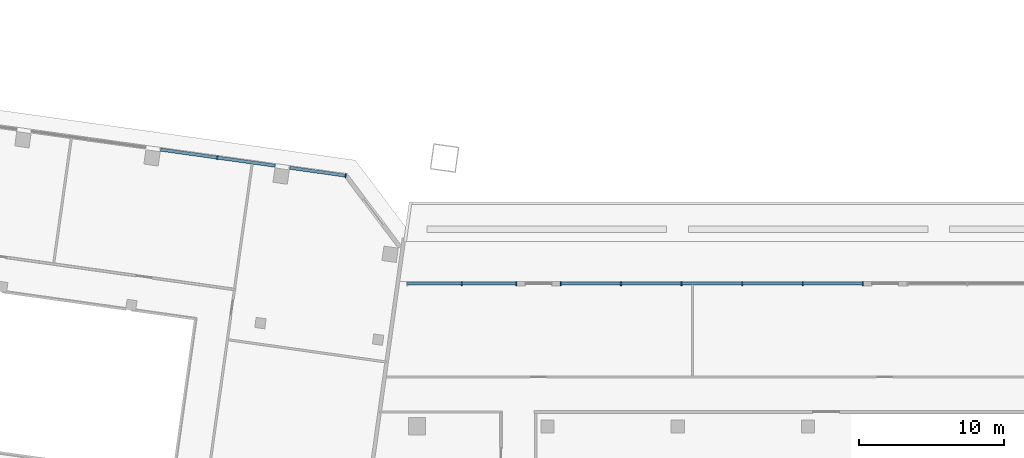
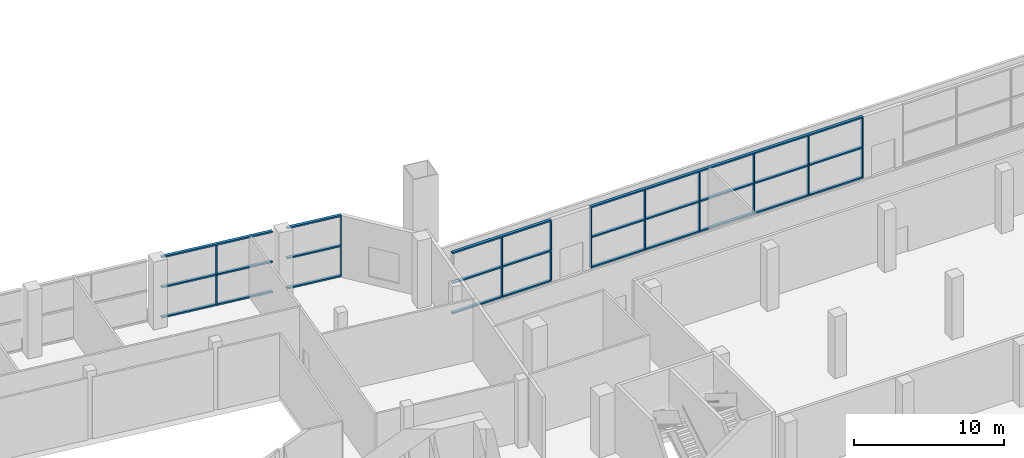
# One storey, part 4 of 23: 32 members, 3 elements without a shape of their own.
"""IFC4 building model written with IfcOpenShell, lengths in metres."""

from ifc_helpers import new_model, si_unit, direction, frame, origin, origin_2d, place, context, subcontext, project, spatial, rectangle, extrude, material, material_profile, profile_set, type_object, element, aggregate, save


model = new_model("IFC4")

# Units and contexts
model_context = context("Model", 3, precision=1e-05, world=origin(), true_north=direction((0.0, 1.0)))
body_context = subcontext(model_context, "Body", "Model", "MODEL_VIEW")
ifc_project = project(units=[si_unit("LENGTHUNIT", "METRE"), si_unit("AREAUNIT", "SQUARE_METRE"), si_unit("VOLUMEUNIT", "CUBIC_METRE"), si_unit("PLANEANGLEUNIT", "RADIAN"), si_unit("MASSUNIT", "GRAM", prefix="KILO")], contexts=[model_context])

# Site, building, storey
site_placement = place(None, origin())
site = spatial("IfcSite", under=ifc_project, at=site_placement, CompositionType="ELEMENT")
building_placement = place(site_placement, origin())
building = spatial("IfcBuilding", under=site, at=building_placement, Name="Mirante Cascada Hotel Towers", CompositionType="ELEMENT")
storey_placement = place(building_placement, frame((0.0, 0.0, 29.0)))
storey = spatial("IfcBuildingStorey", under=building, at=storey_placement, Name="L04", CompositionType="ELEMENT", Elevation=29.0)

# Curtain wall, members
ifc_material_1 = material(Name="Aluminium mullion and transom frame with clear laminated glass", Category="aluminium")
curtain_wall_type = type_object("IfcCurtainWallType", Name="Podium curtain wall ECW3", PredefinedType="NOTDEFINED", material=ifc_material_1)
curtain_wall_1_placement = place(storey_placement, origin())
curtain_wall_1 = element("IfcCurtainWall", 1, at=curtain_wall_1_placement, inside=storey, type_object=curtain_wall_type, Name="Front podium glazing T1 L04", PredefinedType="NOTDEFINED")
ifc_material_2 = material(Name="Anodised aluminium extrusion", Category="aluminium")
ifc_material_profile_1 = material_profile(ifc_material_2, rectangle(XDim=0.26, YDim=0.08, at=origin_2d()), Name="ECW3 MULLION 80x260")
ifc_profile_set_1 = profile_set([ifc_material_profile_1], Name="Anodised aluminium extrusion")
member_type_1 = type_object("IfcMemberType", Name="ECW3 mullion 80x260", PredefinedType="MULLION", material=ifc_profile_set_1)
member_1_placement = place(storey_placement, frame((-40.7892, 18.5516, 0.12), z_axis=(0.0, 0.0, 1.0), x_axis=(0.1391731, 0.9902681, 0.0)))
member_1 = element("IfcMember", 2, at=member_1_placement, type_object=member_type_1, Name="ECW3 mullion 13", PredefinedType="MULLION", context=body_context, shape_type="SweptSolid", body=[
    extrude(rectangle(XDim=0.26, YDim=0.08, at=origin_2d()), origin(), (0.0, 0.0, 1.0), 2.32),
])
member_2_placement = place(storey_placement, frame((-40.7892, 18.5516, 2.56), z_axis=(0.0, 0.0, 1.0), x_axis=(0.1391731, 0.9902681, 0.0)))
member_2 = element("IfcMember", 3, at=member_2_placement, type_object=member_type_1, Name="ECW3 mullion 13", PredefinedType="MULLION", context=body_context, shape_type="SweptSolid", body=[
    extrude(rectangle(XDim=0.26, YDim=0.08, at=origin_2d()), origin(), (0.0, 0.0, 1.0), 2.32),
])
member_3_placement = place(storey_placement, frame((-31.9339, 17.307, 0.12), z_axis=(0.0, 0.0, 1.0), x_axis=(0.1391731, 0.9902681, 0.0)))
member_3 = element("IfcMember", 4, at=member_3_placement, type_object=member_type_1, Name="ECW3 mullion 15", PredefinedType="MULLION", context=body_context, shape_type="SweptSolid", body=[
    extrude(rectangle(XDim=0.26, YDim=0.08, at=origin_2d()), origin(), (0.0, 0.0, 1.0), 2.32),
])
member_4_placement = place(storey_placement, frame((-31.9339, 17.307, 2.56), z_axis=(0.0, 0.0, 1.0), x_axis=(0.1391731, 0.9902681, 0.0)))
member_4 = element("IfcMember", 5, at=member_4_placement, type_object=member_type_1, Name="ECW3 mullion 15", PredefinedType="MULLION", context=body_context, shape_type="SweptSolid", body=[
    extrude(rectangle(XDim=0.26, YDim=0.08, at=origin_2d()), origin(), (0.0, 0.0, 1.0), 2.32),
])

curtain_wall_2_placement = place(storey_placement, origin())
curtain_wall_2 = element("IfcCurtainWall", 6, at=curtain_wall_2_placement, inside=storey, type_object=curtain_wall_type, Name="Podium curtain wall L04 run 3.3", PredefinedType="NOTDEFINED")
member_5_placement = place(storey_placement, frame((3.777, 9.85, 0.12), z_axis=(0.0, 0.0, 1.0), x_axis=(0.0, -1.0, 0.0)))
member_5 = element("IfcMember", 7, at=member_5_placement, type_object=member_type_1, Name="ECW3 mullion 1", PredefinedType="MULLION", context=body_context, shape_type="SweptSolid", body=[
    extrude(rectangle(XDim=0.26, YDim=0.08, at=origin_2d()), origin(), (0.0, 0.0, 1.0), 2.32),
])
member_6_placement = place(storey_placement, frame((3.777, 9.85, 2.56), z_axis=(0.0, 0.0, 1.0), x_axis=(0.0, -1.0, 0.0)))
member_6 = element("IfcMember", 8, at=member_6_placement, type_object=member_type_1, Name="ECW3 mullion 1", PredefinedType="MULLION", context=body_context, shape_type="SweptSolid", body=[
    extrude(rectangle(XDim=0.26, YDim=0.08, at=origin_2d()), origin(), (0.0, 0.0, 1.0), 2.32),
])
member_7_placement = place(storey_placement, frame((-0.368, 9.85, 0.12), z_axis=(0.0, 0.0, 1.0), x_axis=(0.0, -1.0, 0.0)))
member_7 = element("IfcMember", 9, at=member_7_placement, type_object=member_type_1, Name="ECW3 mullion 2", PredefinedType="MULLION", context=body_context, shape_type="SweptSolid", body=[
    extrude(rectangle(XDim=0.26, YDim=0.08, at=origin_2d()), origin(), (0.0, 0.0, 1.0), 2.32),
])
member_8_placement = place(storey_placement, frame((-0.368, 9.85, 2.56), z_axis=(0.0, 0.0, 1.0), x_axis=(0.0, -1.0, 0.0)))
member_8 = element("IfcMember", 10, at=member_8_placement, type_object=member_type_1, Name="ECW3 mullion 2", PredefinedType="MULLION", context=body_context, shape_type="SweptSolid", body=[
    extrude(rectangle(XDim=0.26, YDim=0.08, at=origin_2d()), origin(), (0.0, 0.0, 1.0), 2.32),
])
member_9_placement = place(storey_placement, frame((-4.553, 9.85, 0.12), z_axis=(0.0, 0.0, 1.0), x_axis=(0.0, -1.0, 0.0)))
member_9 = element("IfcMember", 11, at=member_9_placement, type_object=member_type_1, Name="ECW3 mullion 3", PredefinedType="MULLION", context=body_context, shape_type="SweptSolid", body=[
    extrude(rectangle(XDim=0.26, YDim=0.08, at=origin_2d()), origin(), (0.0, 0.0, 1.0), 2.32),
])
member_10_placement = place(storey_placement, frame((-4.553, 9.85, 2.56), z_axis=(0.0, 0.0, 1.0), x_axis=(0.0, -1.0, 0.0)))
member_10 = element("IfcMember", 12, at=member_10_placement, type_object=member_type_1, Name="ECW3 mullion 3", PredefinedType="MULLION", context=body_context, shape_type="SweptSolid", body=[
    extrude(rectangle(XDim=0.26, YDim=0.08, at=origin_2d()), origin(), (0.0, 0.0, 1.0), 2.32),
])
member_11_placement = place(storey_placement, frame((-8.738, 9.85, 0.12), z_axis=(0.0, 0.0, 1.0), x_axis=(0.0, -1.0, 0.0)))
member_11 = element("IfcMember", 13, at=member_11_placement, type_object=member_type_1, Name="ECW3 mullion 4", PredefinedType="MULLION", context=body_context, shape_type="SweptSolid", body=[
    extrude(rectangle(XDim=0.26, YDim=0.08, at=origin_2d()), origin(), (0.0, 0.0, 1.0), 2.32),
])
member_12_placement = place(storey_placement, frame((-8.738, 9.85, 2.56), z_axis=(0.0, 0.0, 1.0), x_axis=(0.0, -1.0, 0.0)))
member_12 = element("IfcMember", 14, at=member_12_placement, type_object=member_type_1, Name="ECW3 mullion 4", PredefinedType="MULLION", context=body_context, shape_type="SweptSolid", body=[
    extrude(rectangle(XDim=0.26, YDim=0.08, at=origin_2d()), origin(), (0.0, 0.0, 1.0), 2.32),
])
member_13_placement = place(storey_placement, frame((-12.923, 9.85, 0.12), z_axis=(0.0, 0.0, 1.0), x_axis=(0.0, -1.0, 0.0)))
member_13 = element("IfcMember", 15, at=member_13_placement, type_object=member_type_1, Name="ECW3 mullion 5", PredefinedType="MULLION", context=body_context, shape_type="SweptSolid", body=[
    extrude(rectangle(XDim=0.26, YDim=0.08, at=origin_2d()), origin(), (0.0, 0.0, 1.0), 2.32),
])
member_14_placement = place(storey_placement, frame((-12.923, 9.85, 2.56), z_axis=(0.0, 0.0, 1.0), x_axis=(0.0, -1.0, 0.0)))
member_14 = element("IfcMember", 16, at=member_14_placement, type_object=member_type_1, Name="ECW3 mullion 5", PredefinedType="MULLION", context=body_context, shape_type="SweptSolid", body=[
    extrude(rectangle(XDim=0.26, YDim=0.08, at=origin_2d()), origin(), (0.0, 0.0, 1.0), 2.32),
])
member_15_placement = place(storey_placement, frame((-17.068, 9.85, 0.12), z_axis=(0.0, 0.0, 1.0), x_axis=(0.0, -1.0, 0.0)))
member_15 = element("IfcMember", 17, at=member_15_placement, type_object=member_type_1, Name="ECW3 mullion 6", PredefinedType="MULLION", context=body_context, shape_type="SweptSolid", body=[
    extrude(rectangle(XDim=0.26, YDim=0.08, at=origin_2d()), origin(), (0.0, 0.0, 1.0), 2.32),
])
member_16_placement = place(storey_placement, frame((-17.068, 9.85, 2.56), z_axis=(0.0, 0.0, 1.0), x_axis=(0.0, -1.0, 0.0)))
member_16 = element("IfcMember", 18, at=member_16_placement, type_object=member_type_1, Name="ECW3 mullion 6", PredefinedType="MULLION", context=body_context, shape_type="SweptSolid", body=[
    extrude(rectangle(XDim=0.26, YDim=0.08, at=origin_2d()), origin(), (0.0, 0.0, 1.0), 2.32),
])

curtain_wall_3_placement = place(storey_placement, origin())
curtain_wall_3 = element("IfcCurtainWall", 19, at=curtain_wall_3_placement, inside=storey, type_object=curtain_wall_type, Name="Podium curtain wall L04 run 3.5", PredefinedType="NOTDEFINED")
member_17_placement = place(storey_placement, frame((-20.148, 9.85, 0.12), z_axis=(0.0, 0.0, 1.0), x_axis=(0.0, -1.0, 0.0)))
member_17 = element("IfcMember", 20, at=member_17_placement, type_object=member_type_1, Name="ECW3 mullion 1", PredefinedType="MULLION", context=body_context, shape_type="SweptSolid", body=[
    extrude(rectangle(XDim=0.26, YDim=0.08, at=origin_2d()), origin(), (0.0, 0.0, 1.0), 2.32),
])
member_18_placement = place(storey_placement, frame((-20.148, 9.85, 2.56), z_axis=(0.0, 0.0, 1.0), x_axis=(0.0, -1.0, 0.0)))
member_18 = element("IfcMember", 21, at=member_18_placement, type_object=member_type_1, Name="ECW3 mullion 1", PredefinedType="MULLION", context=body_context, shape_type="SweptSolid", body=[
    extrude(rectangle(XDim=0.26, YDim=0.08, at=origin_2d()), origin(), (0.0, 0.0, 1.0), 2.32),
])
member_19_placement = place(storey_placement, frame((-23.9078, 9.85, 0.12), z_axis=(0.0, 0.0, 1.0), x_axis=(0.0, -1.0, 0.0)))
member_19 = element("IfcMember", 22, at=member_19_placement, type_object=member_type_1, Name="ECW3 mullion 2", PredefinedType="MULLION", context=body_context, shape_type="SweptSolid", body=[
    extrude(rectangle(XDim=0.26, YDim=0.08, at=origin_2d()), origin(), (0.0, 0.0, 1.0), 2.32),
])
member_20_placement = place(storey_placement, frame((-23.9078, 9.85, 2.56), z_axis=(0.0, 0.0, 1.0), x_axis=(0.0, -1.0, 0.0)))
member_20 = element("IfcMember", 23, at=member_20_placement, type_object=member_type_1, Name="ECW3 mullion 2", PredefinedType="MULLION", context=body_context, shape_type="SweptSolid", body=[
    extrude(rectangle(XDim=0.26, YDim=0.08, at=origin_2d()), origin(), (0.0, 0.0, 1.0), 2.32),
])

# Member
ifc_material_3 = material(Name="Anodised aluminium extrusion", Category="aluminium")
ifc_material_profile_2 = material_profile(ifc_material_3, rectangle(XDim=0.22, YDim=0.12, at=origin_2d()), Name="ECW3 TRANSOM 120x220")
ifc_profile_set_2 = profile_set([ifc_material_profile_2], Name="Anodised aluminium extrusion")
member_type_2 = type_object("IfcMemberType", Name="ECW3 transom 120x220", PredefinedType="USERDEFINED", material=ifc_profile_set_2)
member_21_placement = place(storey_placement, frame((-44.6865, 19.0993, 0.06), z_axis=(0.9902685, -0.1391698, 0.0), x_axis=(0.1391698, 0.9902685, 0.0)))
member_21 = element("IfcMember", 24, at=member_21_placement, type_object=member_type_2, Name="ECW3 sill transom", ObjectType="TRANSOM", PredefinedType="USERDEFINED", context=body_context, shape_type="SweptSolid", body=[
    extrude(rectangle(XDim=0.22, YDim=0.12, at=origin_2d()), origin(), (0.0, 0.0, 1.0), 7.9601),
])

member_22_placement = place(storey_placement, frame((-35.7741, 17.8467, 0.06), z_axis=(0.9902705, -0.1391555, 0.0), x_axis=(0.1391555, 0.9902705, 0.0)))
member_22 = element("IfcMember", 25, at=member_22_placement, type_object=member_type_2, Name="ECW3 sill transom", ObjectType="TRANSOM", PredefinedType="USERDEFINED", context=body_context, shape_type="SweptSolid", body=[
    extrude(rectangle(XDim=0.22, YDim=0.12, at=origin_2d()), origin(), (0.0, 0.0, 1.0), 3.9179),
])

member_23_placement = place(storey_placement, frame((-44.6865, 19.0993, 2.5), z_axis=(0.9902685, -0.1391698, 0.0), x_axis=(0.1391698, 0.9902685, 0.0)))
member_23 = element("IfcMember", 26, at=member_23_placement, type_object=member_type_2, Name="ECW3 intermediate transom", ObjectType="TRANSOM", PredefinedType="USERDEFINED", context=body_context, shape_type="SweptSolid", body=[
    extrude(rectangle(XDim=0.22, YDim=0.12, at=origin_2d()), origin(), (0.0, 0.0, 1.0), 7.9601),
])

member_24_placement = place(storey_placement, frame((-35.7741, 17.8467, 2.5), z_axis=(0.9902705, -0.1391555, 0.0), x_axis=(0.1391555, 0.9902705, 0.0)))
member_24 = element("IfcMember", 27, at=member_24_placement, type_object=member_type_2, Name="ECW3 intermediate transom", ObjectType="TRANSOM", PredefinedType="USERDEFINED", context=body_context, shape_type="SweptSolid", body=[
    extrude(rectangle(XDim=0.22, YDim=0.12, at=origin_2d()), origin(), (0.0, 0.0, 1.0), 3.9179),
])

member_25_placement = place(storey_placement, frame((-44.6865, 19.0993, 4.94), z_axis=(0.9902685, -0.1391698, 0.0), x_axis=(0.1391698, 0.9902685, 0.0)))
member_25 = element("IfcMember", 28, at=member_25_placement, type_object=member_type_2, Name="ECW3 head transom", ObjectType="TRANSOM", PredefinedType="USERDEFINED", context=body_context, shape_type="SweptSolid", body=[
    extrude(rectangle(XDim=0.22, YDim=0.12, at=origin_2d()), origin(), (0.0, 0.0, 1.0), 7.9601),
])

member_26_placement = place(storey_placement, frame((-35.7741, 17.8467, 4.94), z_axis=(0.9902705, -0.1391555, 0.0), x_axis=(0.1391555, 0.9902705, 0.0)))
member_26 = element("IfcMember", 29, at=member_26_placement, type_object=member_type_2, Name="ECW3 head transom", ObjectType="TRANSOM", PredefinedType="USERDEFINED", context=body_context, shape_type="SweptSolid", body=[
    extrude(rectangle(XDim=0.22, YDim=0.12, at=origin_2d()), origin(), (0.0, 0.0, 1.0), 3.9179),
])

aggregate(curtain_wall_1, [member_21, member_22, member_23, member_24, member_25, member_26, member_1, member_2, member_3, member_4])

member_27_placement = place(storey_placement, frame((3.817, 9.85, 0.06), z_axis=(-1.0, 0.0, 0.0), x_axis=(0.0, -1.0, 0.0)))
member_27 = element("IfcMember", 30, at=member_27_placement, type_object=member_type_2, Name="ECW3 sill transom", ObjectType="TRANSOM", PredefinedType="USERDEFINED", context=body_context, shape_type="SweptSolid", body=[
    extrude(rectangle(XDim=0.22, YDim=0.12, at=origin_2d()), origin(), (0.0, 0.0, 1.0), 20.925),
])

member_28_placement = place(storey_placement, frame((3.817, 9.85, 2.5), z_axis=(-1.0, 0.0, 0.0), x_axis=(0.0, -1.0, 0.0)))
member_28 = element("IfcMember", 31, at=member_28_placement, type_object=member_type_2, Name="ECW3 intermediate transom", ObjectType="TRANSOM", PredefinedType="USERDEFINED", context=body_context, shape_type="SweptSolid", body=[
    extrude(rectangle(XDim=0.22, YDim=0.12, at=origin_2d()), origin(), (0.0, 0.0, 1.0), 20.925),
])

member_29_placement = place(storey_placement, frame((3.817, 9.85, 4.94), z_axis=(-1.0, 0.0, 0.0), x_axis=(0.0, -1.0, 0.0)))
member_29 = element("IfcMember", 32, at=member_29_placement, type_object=member_type_2, Name="ECW3 head transom", ObjectType="TRANSOM", PredefinedType="USERDEFINED", context=body_context, shape_type="SweptSolid", body=[
    extrude(rectangle(XDim=0.22, YDim=0.12, at=origin_2d()), origin(), (0.0, 0.0, 1.0), 20.925),
])

aggregate(curtain_wall_2, [member_27, member_28, member_29, member_5, member_6, member_7, member_8, member_9, member_10, member_11, member_12, member_13, member_14, member_15, member_16])

member_30_placement = place(storey_placement, frame((-20.108, 9.85, 0.06), z_axis=(-1.0, 0.0, 0.0), x_axis=(0.0, -1.0, 0.0)))
member_30 = element("IfcMember", 33, at=member_30_placement, type_object=member_type_2, Name="ECW3 sill transom", ObjectType="TRANSOM", PredefinedType="USERDEFINED", context=body_context, shape_type="SweptSolid", body=[
    extrude(rectangle(XDim=0.22, YDim=0.12, at=origin_2d()), origin(), (0.0, 0.0, 1.0), 7.5996),
])

member_31_placement = place(storey_placement, frame((-20.108, 9.85, 2.5), z_axis=(-1.0, 0.0, 0.0), x_axis=(0.0, -1.0, 0.0)))
member_31 = element("IfcMember", 34, at=member_31_placement, type_object=member_type_2, Name="ECW3 intermediate transom", ObjectType="TRANSOM", PredefinedType="USERDEFINED", context=body_context, shape_type="SweptSolid", body=[
    extrude(rectangle(XDim=0.22, YDim=0.12, at=origin_2d()), origin(), (0.0, 0.0, 1.0), 7.5996),
])

member_32_placement = place(storey_placement, frame((-20.108, 9.85, 4.94), z_axis=(-1.0, 0.0, 0.0), x_axis=(0.0, -1.0, 0.0)))
member_32 = element("IfcMember", 35, at=member_32_placement, type_object=member_type_2, Name="ECW3 head transom", ObjectType="TRANSOM", PredefinedType="USERDEFINED", context=body_context, shape_type="SweptSolid", body=[
    extrude(rectangle(XDim=0.22, YDim=0.12, at=origin_2d()), origin(), (0.0, 0.0, 1.0), 7.5996),
])

aggregate(curtain_wall_3, [member_30, member_31, member_32, member_17, member_18, member_19, member_20])

save(model, "model.ifc")
